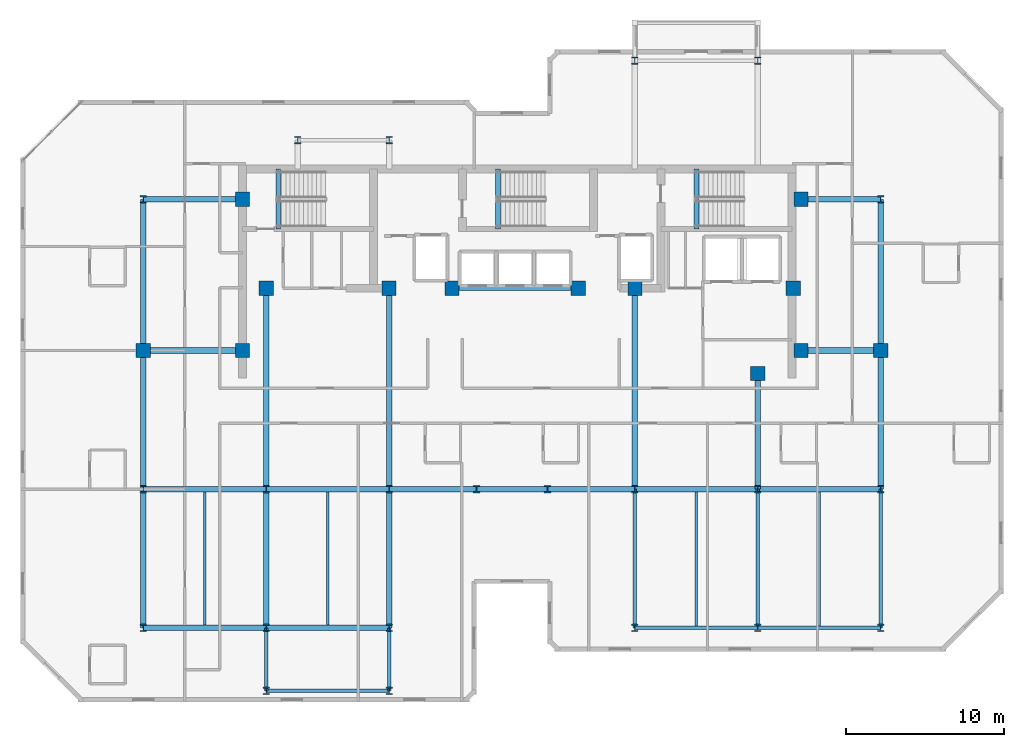
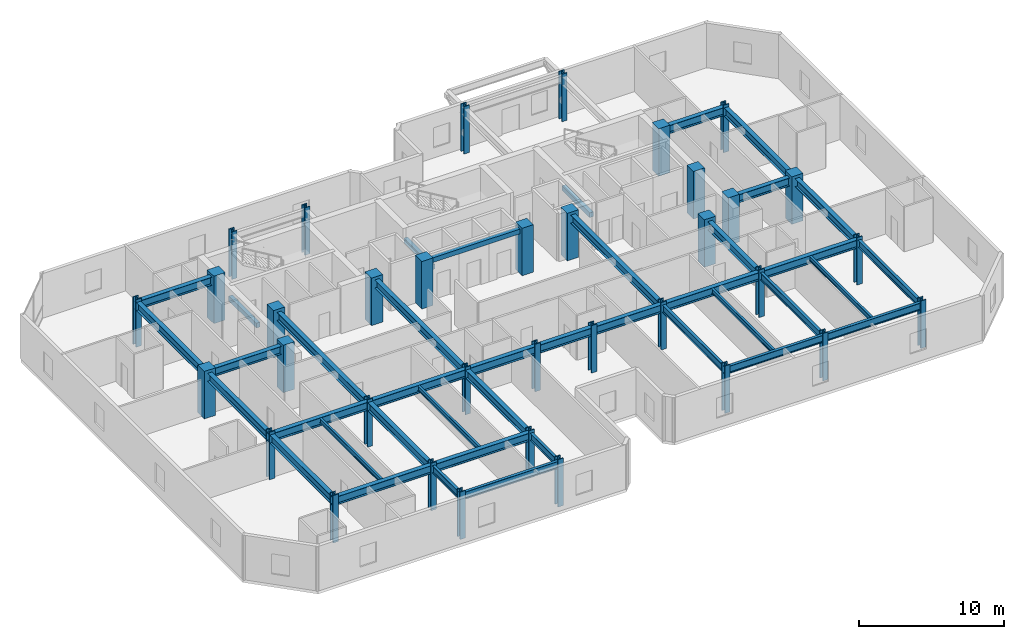
# One storey, part 1 of 9: 40 beams, 35 columns.
"""IFC4 building model written with IfcOpenShell, lengths in metres."""

from ifc_helpers import new_model, si_unit, direction, frame, origin, origin_2d, place, context, subcontext, project, spatial, rectangle, i_section, extrude, material, material_profile, profile_set, type_object, element, save


model = new_model("IFC4")

# Units and contexts
model_context = context("Model", 3, precision=1e-05, world=origin(), true_north=direction((0.0, 1.0)))
body_context = subcontext(model_context, "Body", "Model", "MODEL_VIEW")
ifc_project = project(units=[si_unit("LENGTHUNIT", "METRE"), si_unit("AREAUNIT", "SQUARE_METRE"), si_unit("VOLUMEUNIT", "CUBIC_METRE"), si_unit("PLANEANGLEUNIT", "RADIAN"), si_unit("MASSUNIT", "GRAM", prefix="KILO")], contexts=[model_context])

# Site, building, storey
site_placement = place(None, origin())
site = spatial("IfcSite", under=ifc_project, at=site_placement, CompositionType="ELEMENT")
building_placement = place(site_placement, origin())
building = spatial("IfcBuilding", under=site, at=building_placement, Name="Kestravale Grand Hotel", CompositionType="ELEMENT")
storey_placement = place(building_placement, frame((0.0, 0.0, 257.39990234375)))
storey = spatial("IfcBuildingStorey", under=building, at=storey_placement, Name="L64", CompositionType="ELEMENT", Elevation=257.39990234375)

# Columns
ifc_material_1 = material(Name="Concrete f'c 50 MPa", Category="concrete")
ifc_material_profile_1 = material_profile(ifc_material_1, rectangle(XDim=0.89990234375, YDim=0.89990234375, at=origin_2d()))
ifc_profile_set_1 = profile_set([ifc_material_profile_1], Name="Concrete f'c 50 MPa")
column_type_1 = type_object("IfcColumnType", Name="C-Z4-900", PredefinedType="COLUMN", material=ifc_profile_set_1)
for number, where, z_axis, x_axis, name in (
    (1, (15.60009765625, 28.800048828125, 0.0), (0.0, 0.0, 1.0), (1.0, 0.0, 0.0), "L64 column 3-E"),
    (2, (62.39990234375, 28.800048828125, 0.0), (0.0, 0.0, 1.0), (1.0, 0.0, 0.0), "L64 column 10-E"),
    (3, (21.89990234375, 28.800048828125, 0.0), (0.0, 0.0, 1.0), (1.0, 0.0, 0.0), "L64 column CW-E"),
    (4, (21.89990234375, 38.39990234375, 0.0), (0.0, 0.0, 1.0), (1.0, 0.0, 0.0), "L64 column CW-F"),
    (5, (57.35009765625, 28.800048828125, 0.0), (0.0, 0.0, 1.0), (1.0, 0.0, 0.0), "L64 column CE-E"),
    (6, (57.35009765625, 38.39990234375, 0.0), (0.0, 0.0, 1.0), (1.0, 0.0, 0.0), "L64 column CE-F"),
    (7, (23.39990234375, 32.75, 0.0), (0.0, 0.0, 1.0), (1.0, 0.0, 0.0), "L64 column 4-CS"),
    (8, (31.199951171875, 32.75, 0.0), (0.0, 0.0, 1.0), (1.0, 0.0, 0.0), "L64 column 5-CS"),
    (9, (35.199951171875, 32.75, 0.0), (0.0, 0.0, 1.0), (1.0, 0.0, 0.0), "L64 column 6C-CS"),
    (10, (43.199951171875, 32.75, 0.0), (0.0, 0.0, 1.0), (1.0, 0.0, 0.0), "L64 column 7C-CS"),
    (11, (46.800048828125, 32.75, 0.0), (0.0, 0.0, 1.0), (1.0, 0.0, 0.0), "L64 column 8-CS"),
    (12, (54.60009765625, 27.35009765625, 0.0), (0.0, 0.0, 1.0), (1.0, 0.0, 0.0), "L64 column 9-CS"),
    (13, (56.85009765625, 32.75, 0.0), (0.0, 0.0, 1.0), (1.0, 0.0, 0.0), "L64 column 9C-CS"),
):
    element("IfcColumn", number, at=place(storey_placement, frame(where, z_axis=z_axis, x_axis=x_axis)), inside=storey, type_object=column_type_1, Name=name, PredefinedType="COLUMN", context=body_context, shape_type="SweptSolid", body=[
        extrude(rectangle(XDim=0.89990234375, YDim=0.89990234375, at=origin_2d()), origin(), (0.0, 0.0, 1.0), 4.0),
    ])
ifc_material_2 = material(Name="Steel ASTM A992 Grade 50", Category="steel")
ifc_material_profile_2 = material_profile(ifc_material_2, i_section(OverallWidth=0.422119140625, OverallDepth=0.465087890625, WebThickness=0.044921875, FlangeThickness=0.072509765625, FilletRadius=0.0166015625, at=origin_2d()))
ifc_profile_set_2 = profile_set([ifc_material_profile_2], Name="Steel ASTM A992 Grade 50")
column_type_2 = type_object("IfcColumnType", Name="C-Z4-W14X398", PredefinedType="COLUMN", material=ifc_profile_set_2)
for number, where, z_axis, x_axis, name in (
    (14, (15.60009765625, 11.199951171875, 0.0), (0.0, 0.0, 1.0), (1.0, 0.0, 0.0), "L64 column 3-C"),
    (15, (15.60009765625, 20.0, 0.0), (0.0, 0.0, 1.0), (1.0, 0.0, 0.0), "L64 column 3-D"),
    (16, (15.60009765625, 38.39990234375, 0.0), (0.0, 0.0, 1.0), (1.0, 0.0, 0.0), "L64 column 3-F"),
    (17, (23.39990234375, 11.199951171875, 0.0), (0.0, 0.0, 1.0), (1.0, 0.0, 0.0), "L64 column 4-C"),
    (18, (23.39990234375, 20.0, 0.0), (0.0, 0.0, 1.0), (1.0, 0.0, 0.0), "L64 column 4-D"),
    (19, (31.199951171875, 11.199951171875, 0.0), (0.0, 0.0, 1.0), (1.0, 0.0, 0.0), "L64 column 5-C"),
    (20, (31.199951171875, 20.0, 0.0), (0.0, 0.0, 1.0), (1.0, 0.0, 0.0), "L64 column 5-D"),
    (21, (36.75, 20.0, 0.0), (0.0, 0.0, 1.0), (1.0, 0.0, 0.0), "L64 column 6-D"),
    (22, (41.25, 20.0, 0.0), (0.0, 0.0, 1.0), (1.0, 0.0, 0.0), "L64 column 7-D"),
    (23, (46.800048828125, 11.199951171875, 0.0), (0.0, 0.0, 1.0), (1.0, 0.0, 0.0), "L64 column 8-C"),
    (24, (46.800048828125, 20.0, 0.0), (0.0, 0.0, 1.0), (1.0, 0.0, 0.0), "L64 column 8-D"),
    (25, (46.800048828125, 47.199951171875, 0.0), (0.0, 0.0, 1.0), (1.0, 0.0, 0.0), "L64 column 8-G"),
    (26, (54.60009765625, 11.199951171875, 0.0), (0.0, 0.0, 1.0), (1.0, 0.0, 0.0), "L64 column 9-C"),
    (27, (54.60009765625, 20.0, 0.0), (0.0, 0.0, 1.0), (1.0, 0.0, 0.0), "L64 column 9-D"),
    (28, (54.60009765625, 47.199951171875, 0.0), (0.0, 0.0, 1.0), (1.0, 0.0, 0.0), "L64 column 9-G"),
    (29, (62.39990234375, 11.199951171875, 0.0), (0.0, 0.0, 1.0), (1.0, 0.0, 0.0), "L64 column 10-C"),
    (30, (62.39990234375, 20.0, 0.0), (0.0, 0.0, 1.0), (1.0, 0.0, 0.0), "L64 column 10-D"),
    (31, (62.39990234375, 38.39990234375, 0.0), (0.0, 0.0, 1.0), (1.0, 0.0, 0.0), "L64 column 10-F"),
    (32, (23.39990234375, 7.199951171875, 0.0), (0.0, 0.0, 1.0), (1.0, 0.0, 0.0), "L64 column 4-BS"),
    (33, (31.199951171875, 7.199951171875, 0.0), (0.0, 0.0, 1.0), (1.0, 0.0, 0.0), "L64 column 5-BS"),
    (34, (25.39990234375, 42.14990234375, 0.0), (0.0, 0.0, 1.0), (1.0, 0.0, 0.0), "L64 column 4-FN"),
    (35, (31.199951171875, 42.14990234375, 0.0), (0.0, 0.0, 1.0), (1.0, 0.0, 0.0), "L64 column 5-FN"),
):
    element("IfcColumn", number, at=place(storey_placement, frame(where, z_axis=z_axis, x_axis=x_axis)), inside=storey, type_object=column_type_2, Name=name, PredefinedType="COLUMN", context=body_context, shape_type="SweptSolid", body=[
        extrude(i_section(OverallWidth=0.422119140625, OverallDepth=0.465087890625, WebThickness=0.044921875, FlangeThickness=0.072509765625, FilletRadius=0.0166015625, at=origin_2d()), origin(), (0.0, 0.0, 1.0), 4.0),
    ])

# Beams
ifc_material_3 = material(Name="Steel ASTM A992 Grade 50", Category="steel")
ifc_material_profile_3 = material_profile(ifc_material_3, i_section(OverallWidth=0.177978515625, OverallDepth=0.404052734375, WebThickness=0.007568359375, FlangeThickness=0.010986328125, FilletRadius=0.01416015625, at=origin_2d()))
ifc_profile_set_3 = profile_set([ifc_material_profile_3], Name="Steel ASTM A992 Grade 50")
beam_type_1 = type_object("IfcBeamType", Name="B-FLR-JST16", PredefinedType="JOIST", material=ifc_profile_set_3)
for number, where, z_axis, x_axis, name in (
    (36, (19.5, 11.3779296875, 3.55810546875), (0.0, 1.0, 0.0), (-1.0, 0.0, 0.0), "L64 floor joist 3-4/C-D #1"),
    (37, (27.300048828125, 11.3779296875, 3.55810546875), (0.0, 1.0, 0.0), (-1.0, 0.0, 0.0), "L64 floor joist 4-5/C-D #1"),
):
    element("IfcBeam", number, at=place(storey_placement, frame(where, z_axis=z_axis, x_axis=x_axis)), inside=storey, type_object=beam_type_1, Name=name, PredefinedType="JOIST", context=body_context, shape_type="SweptSolid", body=[
        extrude(i_section(OverallWidth=0.177978515625, OverallDepth=0.404052734375, WebThickness=0.007568359375, FlangeThickness=0.010986328125, FilletRadius=0.01416015625, at=origin_2d()), origin(), (0.0, 0.0, 1.0), 8.444091796875),
    ])
for number, where, z_axis, x_axis, name in (
    (38, (50.699951171875, 11.314453125, 3.55810546875), (0.0, 1.0, 0.0), (-1.0, 0.0, 0.0), "L64 floor joist 8-9/C-D #1"),
    (39, (58.5, 11.314453125, 3.55810546875), (0.0, 1.0, 0.0), (-1.0, 0.0, 0.0), "L64 floor joist 9-10/C-D #1"),
):
    element("IfcBeam", number, at=place(storey_placement, frame(where, z_axis=z_axis, x_axis=x_axis)), inside=storey, type_object=beam_type_1, Name=name, PredefinedType="JOIST", context=body_context, shape_type="SweptSolid", body=[
        extrude(i_section(OverallWidth=0.177978515625, OverallDepth=0.404052734375, WebThickness=0.007568359375, FlangeThickness=0.010986328125, FilletRadius=0.01416015625, at=origin_2d()), origin(), (0.0, 0.0, 1.0), 8.507568359375),
    ])
ifc_material_4 = material(Name="Concrete f'c 45 MPa", Category="concrete")
ifc_material_profile_4 = material_profile(ifc_material_4, rectangle(XDim=0.300048828125, YDim=0.39990234375, at=origin_2d()))
ifc_profile_set_4 = profile_set([ifc_material_profile_4], Name="Concrete f'c 45 MPa")
beam_type_2 = type_object("IfcBeamType", Name="B-FLR-LNT400", PredefinedType="LINTEL", material=ifc_profile_set_4)
beam_1_placement = place(storey_placement, frame((35.199951171875, 32.75, 3.56005859375), z_axis=(1.0, 0.0, 0.0), x_axis=(0.0, 1.0, 0.0)))
element("IfcBeam", 40, at=beam_1_placement, inside=storey, type_object=beam_type_2, Name="L64 core portal header lintel", PredefinedType="LINTEL", context=body_context, shape_type="SweptSolid", body=[
    extrude(rectangle(XDim=0.300048828125, YDim=0.39990234375, at=origin_2d()), origin(), (0.0, 0.0, 1.0), 8.0),
])
for number, where, z_axis, x_axis, name in (
    (41, (24.159912109375, 36.52001953125, -0.199951171875), (0.0, 1.0, 0.0), (-1.0, 0.0, 0.0), "L64 ST1 flight bottom header beam"),
    (42, (38.110107421875, 36.52001953125, -0.199951171875), (0.0, 1.0, 0.0), (-1.0, 0.0, 0.0), "L64 ST2 flight bottom header beam"),
    (43, (50.7099609375, 36.52001953125, -0.199951171875), (0.0, 1.0, 0.0), (-1.0, 0.0, 0.0), "L64 ST3 flight bottom header beam"),
):
    element("IfcBeam", number, at=place(storey_placement, frame(where, z_axis=z_axis, x_axis=x_axis)), inside=storey, type_object=beam_type_2, Name=name, PredefinedType="LINTEL", context=body_context, shape_type="SweptSolid", body=[
        extrude(rectangle(XDim=0.300048828125, YDim=0.39990234375, at=origin_2d()), origin(), (0.0, 0.0, 1.0), 3.800048828125),
    ])
ifc_material_5 = material(Name="Steel ASTM A992 Grade 50", Category="steel")
ifc_material_profile_5 = material_profile(ifc_material_5, i_section(OverallWidth=0.22900390625, OverallDepth=0.612060546875, WebThickness=0.011962890625, FlangeThickness=0.01953125, FilletRadius=0.019287109375, at=origin_2d()))
ifc_profile_set_5 = profile_set([ifc_material_profile_5], Name="Steel ASTM A992 Grade 50")
beam_type_3 = type_object("IfcBeamType", Name="B-FLR-W24B", PredefinedType="SPANDREL", material=ifc_profile_set_5)
beam_2_placement = place(storey_placement, frame((46.800048828125, 11.199951171875, 3.4541015625), z_axis=(1.0, 0.0, 0.0), x_axis=(0.0, 1.0, 0.0)))
element("IfcBeam", 44, at=beam_2_placement, inside=storey, type_object=beam_type_3, Name="L64 spandrel C:8-9", PredefinedType="SPANDREL", context=body_context, shape_type="SweptSolid", body=[
    extrude(i_section(OverallWidth=0.22900390625, OverallDepth=0.612060546875, WebThickness=0.011962890625, FlangeThickness=0.01953125, FilletRadius=0.019287109375, at=origin_2d()), origin(), (0.0, 0.0, 1.0), 7.800048828125),
])
beam_3_placement = place(storey_placement, frame((54.60009765625, 11.199951171875, 3.4541015625), z_axis=(1.0, 0.0, 0.0), x_axis=(0.0, 1.0, 0.0)))
element("IfcBeam", 45, at=beam_3_placement, inside=storey, type_object=beam_type_3, Name="L64 spandrel C:9-10", PredefinedType="SPANDREL", context=body_context, shape_type="SweptSolid", body=[
    extrude(i_section(OverallWidth=0.22900390625, OverallDepth=0.612060546875, WebThickness=0.011962890625, FlangeThickness=0.01953125, FilletRadius=0.019287109375, at=origin_2d()), origin(), (0.0, 0.0, 1.0), 7.7998046875),
])
beam_4_placement = place(storey_placement, frame((23.39990234375, 7.199951171875, 3.4541015625), z_axis=(1.0, 0.0, 0.0), x_axis=(0.0, 1.0, 0.0)))
element("IfcBeam", 46, at=beam_4_placement, inside=storey, type_object=beam_type_3, Name="L64 perimeter tie spandrel BS:4-5", PredefinedType="SPANDREL", context=body_context, shape_type="SweptSolid", body=[
    extrude(i_section(OverallWidth=0.22900390625, OverallDepth=0.612060546875, WebThickness=0.011962890625, FlangeThickness=0.01953125, FilletRadius=0.019287109375, at=origin_2d()), origin(), (0.0, 0.0, 1.0), 7.800048828125),
])
for number, where, z_axis, x_axis, name in (
    (47, (23.39990234375, 7.199951171875, 3.4541015625), (0.0, 1.0, 0.0), (-1.0, 0.0, 0.0), "L64 spandrel 4:BS-C"),
    (48, (31.199951171875, 7.199951171875, 3.4541015625), (0.0, 1.0, 0.0), (-1.0, 0.0, 0.0), "L64 spandrel 5:BS-C"),
):
    element("IfcBeam", number, at=place(storey_placement, frame(where, z_axis=z_axis, x_axis=x_axis)), inside=storey, type_object=beam_type_3, Name=name, PredefinedType="SPANDREL", context=body_context, shape_type="SweptSolid", body=[
        extrude(i_section(OverallWidth=0.22900390625, OverallDepth=0.612060546875, WebThickness=0.011962890625, FlangeThickness=0.01953125, FilletRadius=0.019287109375, at=origin_2d()), origin(), (0.0, 0.0, 1.0), 4.0),
    ])
for number, where, z_axis, x_axis, name in (
    (49, (46.800048828125, 11.199951171875, 3.4541015625), (0.0, 1.0, 0.0), (-1.0, 0.0, 0.0), "L64 spandrel 8:C-D"),
    (50, (54.60009765625, 11.199951171875, 3.4541015625), (0.0, 1.0, 0.0), (-1.0, 0.0, 0.0), "L64 spandrel 9:C-D"),
    (51, (62.39990234375, 11.199951171875, 3.4541015625), (0.0, 1.0, 0.0), (-1.0, 0.0, 0.0), "L64 spandrel 10:C-D"),
):
    element("IfcBeam", number, at=place(storey_placement, frame(where, z_axis=z_axis, x_axis=x_axis)), inside=storey, type_object=beam_type_3, Name=name, PredefinedType="SPANDREL", context=body_context, shape_type="SweptSolid", body=[
        extrude(i_section(OverallWidth=0.22900390625, OverallDepth=0.612060546875, WebThickness=0.011962890625, FlangeThickness=0.01953125, FilletRadius=0.019287109375, at=origin_2d()), origin(), (0.0, 0.0, 1.0), 8.800048828125),
    ])
ifc_material_6 = material(Name="Steel ASTM A992 Grade 50", Category="steel")
ifc_material_profile_6 = material_profile(ifc_material_6, i_section(OverallWidth=0.35595703125, OverallDepth=0.696044921875, WebThickness=0.015380859375, FlangeThickness=0.02490234375, FilletRadius=0.021240234375, at=origin_2d()))
ifc_profile_set_6 = profile_set([ifc_material_profile_6], Name="Steel ASTM A992 Grade 50")
beam_type_4 = type_object("IfcBeamType", Name="B-GRD-W27", PredefinedType="BEAM", material=ifc_profile_set_6)
beam_5_placement = place(storey_placement, frame((15.60009765625, 11.199951171875, 3.412109375), z_axis=(1.0, 0.0, 0.0), x_axis=(0.0, 1.0, 0.0)))
element("IfcBeam", 52, at=beam_5_placement, inside=storey, type_object=beam_type_4, Name="L64 girder C:3-4", PredefinedType="BEAM", context=body_context, shape_type="SweptSolid", body=[
    extrude(i_section(OverallWidth=0.35595703125, OverallDepth=0.696044921875, WebThickness=0.015380859375, FlangeThickness=0.02490234375, FilletRadius=0.021240234375, at=origin_2d()), origin(), (0.0, 0.0, 1.0), 7.7998046875),
])
beam_6_placement = place(storey_placement, frame((23.39990234375, 11.199951171875, 3.412109375), z_axis=(1.0, 0.0, 0.0), x_axis=(0.0, 1.0, 0.0)))
element("IfcBeam", 53, at=beam_6_placement, inside=storey, type_object=beam_type_4, Name="L64 girder C:4-5", PredefinedType="BEAM", context=body_context, shape_type="SweptSolid", body=[
    extrude(i_section(OverallWidth=0.35595703125, OverallDepth=0.696044921875, WebThickness=0.015380859375, FlangeThickness=0.02490234375, FilletRadius=0.021240234375, at=origin_2d()), origin(), (0.0, 0.0, 1.0), 7.800048828125),
])
beam_7_placement = place(storey_placement, frame((15.60009765625, 20.0, 3.412109375), z_axis=(1.0, 0.0, 0.0), x_axis=(0.0, 1.0, 0.0)))
element("IfcBeam", 54, at=beam_7_placement, inside=storey, type_object=beam_type_4, Name="L64 girder D:3-4", PredefinedType="BEAM", context=body_context, shape_type="SweptSolid", body=[
    extrude(i_section(OverallWidth=0.35595703125, OverallDepth=0.696044921875, WebThickness=0.015380859375, FlangeThickness=0.02490234375, FilletRadius=0.021240234375, at=origin_2d()), origin(), (0.0, 0.0, 1.0), 7.7998046875),
])
beam_8_placement = place(storey_placement, frame((23.39990234375, 20.0, 3.412109375), z_axis=(1.0, 0.0, 0.0), x_axis=(0.0, 1.0, 0.0)))
element("IfcBeam", 55, at=beam_8_placement, inside=storey, type_object=beam_type_4, Name="L64 girder D:4-5", PredefinedType="BEAM", context=body_context, shape_type="SweptSolid", body=[
    extrude(i_section(OverallWidth=0.35595703125, OverallDepth=0.696044921875, WebThickness=0.015380859375, FlangeThickness=0.02490234375, FilletRadius=0.021240234375, at=origin_2d()), origin(), (0.0, 0.0, 1.0), 7.800048828125),
])
beam_9_placement = place(storey_placement, frame((31.199951171875, 20.0, 3.412109375), z_axis=(1.0, 0.0, 0.0), x_axis=(0.0, 1.0, 0.0)))
element("IfcBeam", 56, at=beam_9_placement, inside=storey, type_object=beam_type_4, Name="L64 girder D:5-6", PredefinedType="BEAM", context=body_context, shape_type="SweptSolid", body=[
    extrude(i_section(OverallWidth=0.35595703125, OverallDepth=0.696044921875, WebThickness=0.015380859375, FlangeThickness=0.02490234375, FilletRadius=0.021240234375, at=origin_2d()), origin(), (0.0, 0.0, 1.0), 5.550048828125),
])
beam_10_placement = place(storey_placement, frame((36.75, 20.0, 3.412109375), z_axis=(1.0, 0.0, 0.0), x_axis=(0.0, 1.0, 0.0)))
element("IfcBeam", 57, at=beam_10_placement, inside=storey, type_object=beam_type_4, Name="L64 girder D:6-7", PredefinedType="BEAM", context=body_context, shape_type="SweptSolid", body=[
    extrude(i_section(OverallWidth=0.35595703125, OverallDepth=0.696044921875, WebThickness=0.015380859375, FlangeThickness=0.02490234375, FilletRadius=0.021240234375, at=origin_2d()), origin(), (0.0, 0.0, 1.0), 4.5),
])
beam_11_placement = place(storey_placement, frame((41.25, 20.0, 3.412109375), z_axis=(1.0, 0.0, 0.0), x_axis=(0.0, 1.0, 0.0)))
element("IfcBeam", 58, at=beam_11_placement, inside=storey, type_object=beam_type_4, Name="L64 girder D:7-8", PredefinedType="BEAM", context=body_context, shape_type="SweptSolid", body=[
    extrude(i_section(OverallWidth=0.35595703125, OverallDepth=0.696044921875, WebThickness=0.015380859375, FlangeThickness=0.02490234375, FilletRadius=0.021240234375, at=origin_2d()), origin(), (0.0, 0.0, 1.0), 5.550048828125),
])
beam_12_placement = place(storey_placement, frame((46.800048828125, 20.0, 3.412109375), z_axis=(1.0, 0.0, 0.0), x_axis=(0.0, 1.0, 0.0)))
element("IfcBeam", 59, at=beam_12_placement, inside=storey, type_object=beam_type_4, Name="L64 girder D:8-9", PredefinedType="BEAM", context=body_context, shape_type="SweptSolid", body=[
    extrude(i_section(OverallWidth=0.35595703125, OverallDepth=0.696044921875, WebThickness=0.015380859375, FlangeThickness=0.02490234375, FilletRadius=0.021240234375, at=origin_2d()), origin(), (0.0, 0.0, 1.0), 7.800048828125),
])
beam_13_placement = place(storey_placement, frame((54.60009765625, 20.0, 3.412109375), z_axis=(1.0, 0.0, 0.0), x_axis=(0.0, 1.0, 0.0)))
element("IfcBeam", 60, at=beam_13_placement, inside=storey, type_object=beam_type_4, Name="L64 girder D:9-10", PredefinedType="BEAM", context=body_context, shape_type="SweptSolid", body=[
    extrude(i_section(OverallWidth=0.35595703125, OverallDepth=0.696044921875, WebThickness=0.015380859375, FlangeThickness=0.02490234375, FilletRadius=0.021240234375, at=origin_2d()), origin(), (0.0, 0.0, 1.0), 7.7998046875),
])
beam_14_placement = place(storey_placement, frame((15.60009765625, 28.800048828125, 3.412109375), z_axis=(1.0, 0.0, 0.0), x_axis=(0.0, 1.0, 0.0)))
element("IfcBeam", 61, at=beam_14_placement, inside=storey, type_object=beam_type_4, Name="L64 girder E:3-CW", PredefinedType="BEAM", context=body_context, shape_type="SweptSolid", body=[
    extrude(i_section(OverallWidth=0.35595703125, OverallDepth=0.696044921875, WebThickness=0.015380859375, FlangeThickness=0.02490234375, FilletRadius=0.021240234375, at=origin_2d()), origin(), (0.0, 0.0, 1.0), 6.2998046875),
])
beam_15_placement = place(storey_placement, frame((57.35009765625, 28.800048828125, 3.412109375), z_axis=(1.0, 0.0, 0.0), x_axis=(0.0, 1.0, 0.0)))
element("IfcBeam", 62, at=beam_15_placement, inside=storey, type_object=beam_type_4, Name="L64 girder E:CE-10", PredefinedType="BEAM", context=body_context, shape_type="SweptSolid", body=[
    extrude(i_section(OverallWidth=0.35595703125, OverallDepth=0.696044921875, WebThickness=0.015380859375, FlangeThickness=0.02490234375, FilletRadius=0.021240234375, at=origin_2d()), origin(), (0.0, 0.0, 1.0), 5.0498046875),
])
beam_16_placement = place(storey_placement, frame((15.60009765625, 38.39990234375, 3.412109375), z_axis=(1.0, 0.0, 0.0), x_axis=(0.0, 1.0, 0.0)))
element("IfcBeam", 63, at=beam_16_placement, inside=storey, type_object=beam_type_4, Name="L64 girder F:3-CW", PredefinedType="BEAM", context=body_context, shape_type="SweptSolid", body=[
    extrude(i_section(OverallWidth=0.35595703125, OverallDepth=0.696044921875, WebThickness=0.015380859375, FlangeThickness=0.02490234375, FilletRadius=0.021240234375, at=origin_2d()), origin(), (0.0, 0.0, 1.0), 6.2998046875),
])
beam_17_placement = place(storey_placement, frame((57.35009765625, 38.39990234375, 3.412109375), z_axis=(1.0, 0.0, 0.0), x_axis=(0.0, 1.0, 0.0)))
element("IfcBeam", 64, at=beam_17_placement, inside=storey, type_object=beam_type_4, Name="L64 girder F:CE-10", PredefinedType="BEAM", context=body_context, shape_type="SweptSolid", body=[
    extrude(i_section(OverallWidth=0.35595703125, OverallDepth=0.696044921875, WebThickness=0.015380859375, FlangeThickness=0.02490234375, FilletRadius=0.021240234375, at=origin_2d()), origin(), (0.0, 0.0, 1.0), 5.0498046875),
])
for number, where, z_axis, x_axis, name in (
    (65, (15.60009765625, 11.199951171875, 3.412109375), (0.0, 1.0, 0.0), (-1.0, 0.0, 0.0), "L64 girder 3:C-D"),
    (66, (15.60009765625, 20.0, 3.412109375), (0.0, 1.0, 0.0), (-1.0, 0.0, 0.0), "L64 girder 3:D-E"),
):
    element("IfcBeam", number, at=place(storey_placement, frame(where, z_axis=z_axis, x_axis=x_axis)), inside=storey, type_object=beam_type_4, Name=name, PredefinedType="BEAM", context=body_context, shape_type="SweptSolid", body=[
        extrude(i_section(OverallWidth=0.35595703125, OverallDepth=0.696044921875, WebThickness=0.015380859375, FlangeThickness=0.02490234375, FilletRadius=0.021240234375, at=origin_2d()), origin(), (0.0, 0.0, 1.0), 8.800048828125),
    ])
beam_18_placement = place(storey_placement, frame((15.60009765625, 28.800048828125, 3.412109375), z_axis=(0.0, 1.0, 0.0), x_axis=(-1.0, 0.0, 0.0)))
element("IfcBeam", 67, at=beam_18_placement, inside=storey, type_object=beam_type_4, Name="L64 girder 3:E-F", PredefinedType="BEAM", context=body_context, shape_type="SweptSolid", body=[
    extrude(i_section(OverallWidth=0.35595703125, OverallDepth=0.696044921875, WebThickness=0.015380859375, FlangeThickness=0.02490234375, FilletRadius=0.021240234375, at=origin_2d()), origin(), (0.0, 0.0, 1.0), 9.599853515625),
])
beam_19_placement = place(storey_placement, frame((23.39990234375, 11.199951171875, 3.412109375), z_axis=(0.0, 1.0, 0.0), x_axis=(-1.0, 0.0, 0.0)))
element("IfcBeam", 68, at=beam_19_placement, inside=storey, type_object=beam_type_4, Name="L64 girder 4:C-D", PredefinedType="BEAM", context=body_context, shape_type="SweptSolid", body=[
    extrude(i_section(OverallWidth=0.35595703125, OverallDepth=0.696044921875, WebThickness=0.015380859375, FlangeThickness=0.02490234375, FilletRadius=0.021240234375, at=origin_2d()), origin(), (0.0, 0.0, 1.0), 8.800048828125),
])
beam_20_placement = place(storey_placement, frame((23.39990234375, 20.0, 3.412109375), z_axis=(0.0, 1.0, 0.0), x_axis=(-1.0, 0.0, 0.0)))
element("IfcBeam", 69, at=beam_20_placement, inside=storey, type_object=beam_type_4, Name="L64 girder 4:D-CS", PredefinedType="BEAM", context=body_context, shape_type="SweptSolid", body=[
    extrude(i_section(OverallWidth=0.35595703125, OverallDepth=0.696044921875, WebThickness=0.015380859375, FlangeThickness=0.02490234375, FilletRadius=0.021240234375, at=origin_2d()), origin(), (0.0, 0.0, 1.0), 12.75),
])
beam_21_placement = place(storey_placement, frame((31.199951171875, 11.199951171875, 3.412109375), z_axis=(0.0, 1.0, 0.0), x_axis=(-1.0, 0.0, 0.0)))
element("IfcBeam", 70, at=beam_21_placement, inside=storey, type_object=beam_type_4, Name="L64 girder 5:C-D", PredefinedType="BEAM", context=body_context, shape_type="SweptSolid", body=[
    extrude(i_section(OverallWidth=0.35595703125, OverallDepth=0.696044921875, WebThickness=0.015380859375, FlangeThickness=0.02490234375, FilletRadius=0.021240234375, at=origin_2d()), origin(), (0.0, 0.0, 1.0), 8.800048828125),
])
for number, where, z_axis, x_axis, name in (
    (71, (31.199951171875, 20.0, 3.412109375), (0.0, 1.0, 0.0), (-1.0, 0.0, 0.0), "L64 girder 5:D-CS"),
    (72, (46.800048828125, 20.0, 3.412109375), (0.0, 1.0, 0.0), (-1.0, 0.0, 0.0), "L64 girder 8:D-CS"),
):
    element("IfcBeam", number, at=place(storey_placement, frame(where, z_axis=z_axis, x_axis=x_axis)), inside=storey, type_object=beam_type_4, Name=name, PredefinedType="BEAM", context=body_context, shape_type="SweptSolid", body=[
        extrude(i_section(OverallWidth=0.35595703125, OverallDepth=0.696044921875, WebThickness=0.015380859375, FlangeThickness=0.02490234375, FilletRadius=0.021240234375, at=origin_2d()), origin(), (0.0, 0.0, 1.0), 12.75),
    ])
beam_22_placement = place(storey_placement, frame((54.60009765625, 20.0, 3.412109375), z_axis=(0.0, 1.0, 0.0), x_axis=(-1.0, 0.0, 0.0)))
element("IfcBeam", 73, at=beam_22_placement, inside=storey, type_object=beam_type_4, Name="L64 girder 9:D-CS", PredefinedType="BEAM", context=body_context, shape_type="SweptSolid", body=[
    extrude(i_section(OverallWidth=0.35595703125, OverallDepth=0.696044921875, WebThickness=0.015380859375, FlangeThickness=0.02490234375, FilletRadius=0.021240234375, at=origin_2d()), origin(), (0.0, 0.0, 1.0), 7.35009765625),
])
beam_23_placement = place(storey_placement, frame((62.39990234375, 20.0, 3.412109375), z_axis=(0.0, 1.0, 0.0), x_axis=(-1.0, 0.0, 0.0)))
element("IfcBeam", 74, at=beam_23_placement, inside=storey, type_object=beam_type_4, Name="L64 girder 10:D-E", PredefinedType="BEAM", context=body_context, shape_type="SweptSolid", body=[
    extrude(i_section(OverallWidth=0.35595703125, OverallDepth=0.696044921875, WebThickness=0.015380859375, FlangeThickness=0.02490234375, FilletRadius=0.021240234375, at=origin_2d()), origin(), (0.0, 0.0, 1.0), 8.800048828125),
])
beam_24_placement = place(storey_placement, frame((62.39990234375, 28.800048828125, 3.412109375), z_axis=(0.0, 1.0, 0.0), x_axis=(-1.0, 0.0, 0.0)))
element("IfcBeam", 75, at=beam_24_placement, inside=storey, type_object=beam_type_4, Name="L64 girder 10:E-F", PredefinedType="BEAM", context=body_context, shape_type="SweptSolid", body=[
    extrude(i_section(OverallWidth=0.35595703125, OverallDepth=0.696044921875, WebThickness=0.015380859375, FlangeThickness=0.02490234375, FilletRadius=0.021240234375, at=origin_2d()), origin(), (0.0, 0.0, 1.0), 9.599853515625),
])

save(model, "model.ifc")
